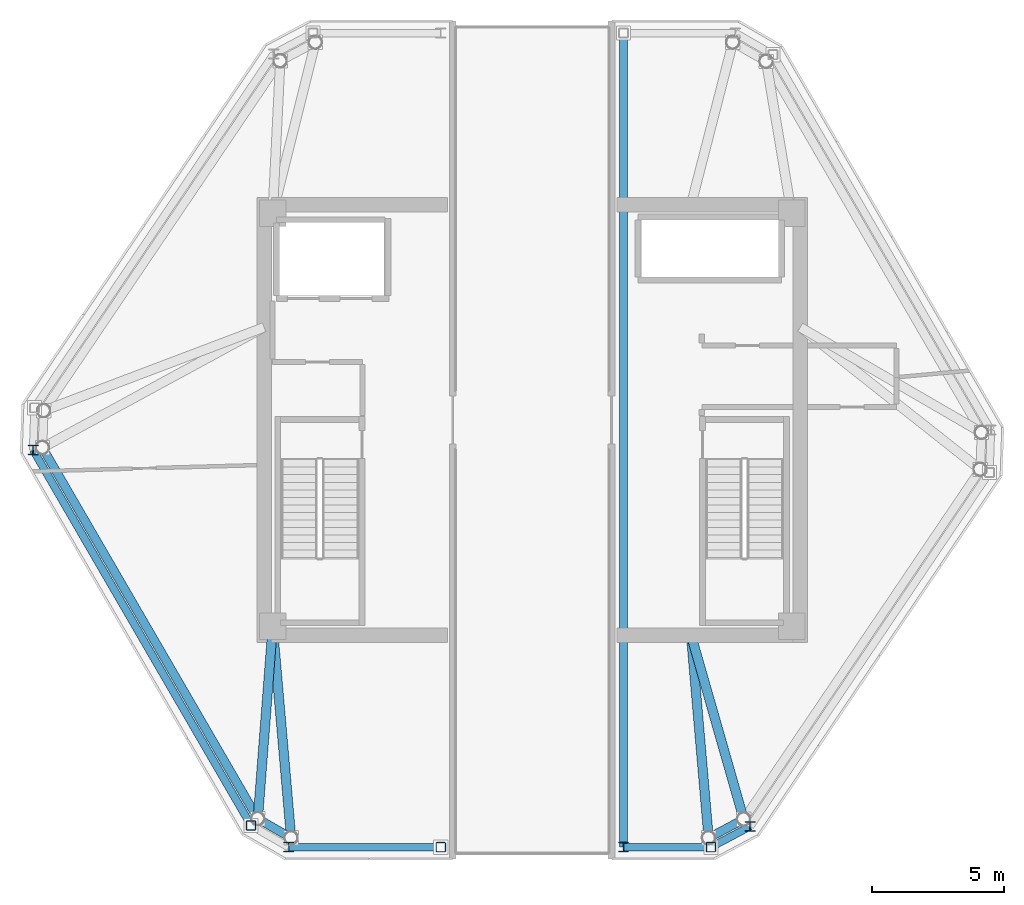
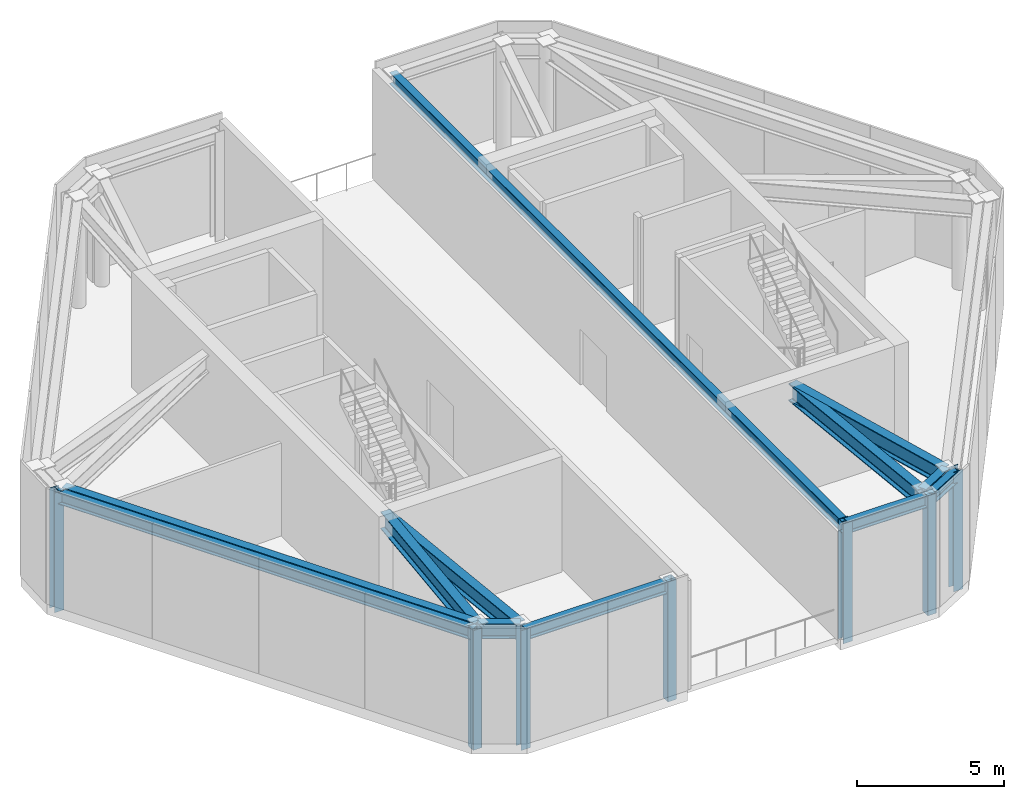
# One storey, part 2 of 8: 12 beams, 7 members.
"""IFC4 building model written with IfcOpenShell, lengths in metres."""

from ifc_helpers import new_model, si_unit, direction, frame, origin, origin_2d, place, context, subcontext, project, spatial, hollow_rectangle, i_section, extrude, source, transform, mapped, material, material_profile, profile_set, type_object, type_shapes, element, save


model = new_model("IFC4")

# Units and contexts
model_context = context("Model", 3, precision=1e-05, world=origin(), true_north=direction((0.0, 1.0)))
body_context = subcontext(model_context, "Body", "Model", "MODEL_VIEW")
ifc_project = project(units=[si_unit("LENGTHUNIT", "METRE"), si_unit("AREAUNIT", "SQUARE_METRE"), si_unit("VOLUMEUNIT", "CUBIC_METRE"), si_unit("PLANEANGLEUNIT", "RADIAN"), si_unit("MASSUNIT", "GRAM", prefix="KILO")], contexts=[model_context])

# Site, building, storey
site_placement = place(None, origin())
site = spatial("IfcSite", under=ifc_project, at=site_placement, CompositionType="ELEMENT")
building_placement = place(site_placement, origin())
building = spatial("IfcBuilding", under=site, at=building_placement, Name="Durnholm Broadcast Tower", CompositionType="ELEMENT")
storey_placement = place(building_placement, frame((0.0, 0.0, 272.5)))
storey = spatial("IfcBuildingStorey", under=building, at=storey_placement, Name="L76", CompositionType="ELEMENT", Elevation=272.5)

# Beams
ifc_material_1 = material(Name="Steel ASTM A992 Grade 50", Category="steel")
ifc_material_profile_1 = material_profile(ifc_material_1, i_section(OverallWidth=0.3251953125, OverallDepth=0.6162109375, WebThickness=0.013916015625, FlangeThickness=0.021484375, FilletRadius=0.02783203125, at=origin_2d()), Name="W24X117")
ifc_profile_set_1 = profile_set([ifc_material_profile_1], Name="Steel ASTM A992 Grade 50")
beam_type_1 = type_object("IfcBeamType", Name="STL-SP-W24X117", PredefinedType="SPANDREL", material=ifc_profile_set_1)
shared_shape_1 = source(origin(), body_context, "Body", "SweptSolid", [
    extrude(i_section(OverallWidth=0.3251953125, OverallDepth=0.6162109375, WebThickness=0.013916015625, FlangeThickness=0.021484375, FilletRadius=0.02783203125, at=origin_2d()), origin(), (0.0, 0.0, 1.0), 16.202880859375),
])
beam_1_placement = place(storey_placement, frame((-10.361328125, -15.061767578125, 4.197021484375), z_axis=(-0.501948303381, 0.864897624423, 0.0), x_axis=(-0.864897624423, -0.501948303381, 0.0)))
element("IfcBeam", 1, at=beam_1_placement, inside=storey, type_object=beam_type_1, Name="L76 perimeter spandrel girder 01", PredefinedType="SPANDREL", context=body_context, shape_type="MappedRepresentation", body=[
    mapped(shared_shape_1, transform((0.0, 0.0, 0.0), x_axis=(1.0, 0.0, 0.0), y_axis=(0.0, 1.0, 0.0), z_axis=(0.0, 0.0, 1.0), scale=1.0)),
])
shared_shape_2 = source(origin(), body_context, "Body", "SweptSolid", [
    extrude(i_section(OverallWidth=0.3251953125, OverallDepth=0.6162109375, WebThickness=0.013916015625, FlangeThickness=0.021484375, FilletRadius=0.02783203125, at=origin_2d()), origin(), (0.0, 0.0, 1.0), 1.502685546875),
])
beam_2_placement = place(storey_placement, frame((7.990966796875, -15.081298828125, 4.197021484375), z_axis=(-0.883241909673, -0.468917614296, 0.0), x_axis=(0.468917614296, -0.883241909673, 0.0)))
element("IfcBeam", 2, at=beam_2_placement, inside=storey, type_object=beam_type_1, Name="L76 perimeter spandrel girder 10", PredefinedType="SPANDREL", context=body_context, shape_type="MappedRepresentation", body=[
    mapped(shared_shape_2, transform((0.0, 0.0, 0.0), x_axis=(1.0, 0.0, 0.0), y_axis=(0.0, 1.0, 0.0), z_axis=(0.0, 0.0, 1.0), scale=1.0)),
])
shared_shape_3 = source(origin(), body_context, "Body", "SweptSolid", [
    extrude(i_section(OverallWidth=0.3251953125, OverallDepth=0.6162109375, WebThickness=0.013916015625, FlangeThickness=0.021484375, FilletRadius=0.02783203125, at=origin_2d()), origin(), (0.0, 0.0, 1.0), 1.451171875),
])
type_shapes(beam_type_1, [shared_shape_1, shared_shape_2, shared_shape_3])
beam_3_placement = place(storey_placement, frame((-9.103759765625, -15.785888671875, 4.197021484375), z_axis=(-0.866602615509, 0.498998904601, 0.0), x_axis=(-0.498998904601, -0.866602615509, 0.0)))
element("IfcBeam", 3, at=beam_3_placement, inside=storey, type_object=beam_type_1, Name="L76 perimeter spandrel girder 12", PredefinedType="SPANDREL", context=body_context, shape_type="MappedRepresentation", body=[
    mapped(shared_shape_3, transform((0.0, 0.0, 0.0), x_axis=(1.0, 0.0, 0.0), y_axis=(0.0, 1.0, 0.0), z_axis=(0.0, 0.0, 1.0), scale=1.0)),
])
ifc_material_profile_2 = material_profile(ifc_material_1, i_section(OverallWidth=0.3564453125, OverallDepth=0.713623046875, WebThickness=0.01904296875, FlangeThickness=0.033935546875, FilletRadius=0.030517578125, at=origin_2d()), Name="W27X194")
ifc_profile_set_2 = profile_set([ifc_material_profile_2], Name="Steel ASTM A992 Grade 50")
beam_type_2 = type_object("IfcBeamType", Name="STL-GR-W27X194", PredefinedType="USERDEFINED", material=ifc_profile_set_2)
shared_shape_4 = source(origin(), body_context, "Body", "SweptSolid", [
    extrude(i_section(OverallWidth=0.3564453125, OverallDepth=0.713623046875, WebThickness=0.01904296875, FlangeThickness=0.033935546875, FilletRadius=0.030517578125, at=origin_2d()), origin(), (0.0, 0.0, 1.0), 7.283447265625),
])
beam_4_placement = place(storey_placement, frame((-9.800048828125, -7.800048828125, 4.148193359375), z_axis=(-0.07706304746, -0.997026221679, 0.0), x_axis=(0.997026221679, -0.07706304746, 0.0)))
element("IfcBeam", 4, at=beam_4_placement, inside=storey, type_object=beam_type_2, Name="L76 radial primary floor girder 01", ObjectType="GIRDER", PredefinedType="USERDEFINED", context=body_context, shape_type="MappedRepresentation", body=[
    mapped(shared_shape_4, transform((0.0, 0.0, 0.0), x_axis=(1.0, 0.0, 0.0), y_axis=(0.0, 1.0, 0.0), z_axis=(0.0, 0.0, 1.0), scale=1.0)),
])
shared_shape_5 = source(origin(), body_context, "Body", "SweptSolid", [
    extrude(i_section(OverallWidth=0.3564453125, OverallDepth=0.713623046875, WebThickness=0.01904296875, FlangeThickness=0.033935546875, FilletRadius=0.030517578125, at=origin_2d()), origin(), (0.0, 0.0, 1.0), 7.235595703125),
])
beam_5_placement = place(storey_placement, frame((6.0, -8.125, 4.148193359375), z_axis=(0.275162285573, -0.961397793111, 0.0), x_axis=(0.961397793111, 0.275162285573, 0.0)))
element("IfcBeam", 5, at=beam_5_placement, inside=storey, type_object=beam_type_2, Name="L76 radial primary floor girder 10", ObjectType="GIRDER", PredefinedType="USERDEFINED", context=body_context, shape_type="MappedRepresentation", body=[
    mapped(shared_shape_5, transform((0.0, 0.0, 0.0), x_axis=(1.0, 0.0, 0.0), y_axis=(0.0, 1.0, 0.0), z_axis=(0.0, 0.0, 1.0), scale=1.0)),
])
shared_shape_6 = source(origin(), body_context, "Body", "SweptSolid", [
    extrude(i_section(OverallWidth=0.3564453125, OverallDepth=0.713623046875, WebThickness=0.01904296875, FlangeThickness=0.033935546875, FilletRadius=0.030517578125, at=origin_2d()), origin(), (0.0, 0.0, 1.0), 7.689697265625),
])
beam_6_placement = place(storey_placement, frame((6.0, -8.125, 4.148193359375), z_axis=(0.086326830756, -0.99626687102, 0.0), x_axis=(0.99626687102, 0.086326830756, 0.0)))
element("IfcBeam", 6, at=beam_6_placement, inside=storey, type_object=beam_type_2, Name="L76 radial primary floor girder 11", ObjectType="GIRDER", PredefinedType="USERDEFINED", context=body_context, shape_type="MappedRepresentation", body=[
    mapped(shared_shape_6, transform((0.0, 0.0, 0.0), x_axis=(1.0, 0.0, 0.0), y_axis=(0.0, 1.0, 0.0), z_axis=(0.0, 0.0, 1.0), scale=1.0)),
])
shared_shape_7 = source(origin(), body_context, "Body", "SweptSolid", [
    extrude(i_section(OverallWidth=0.3564453125, OverallDepth=0.713623046875, WebThickness=0.01904296875, FlangeThickness=0.033935546875, FilletRadius=0.030517578125, at=origin_2d()), origin(), (0.0, 0.0, 1.0), 8.01611328125),
])
type_shapes(beam_type_2, [shared_shape_4, shared_shape_5, shared_shape_6, shared_shape_7])
beam_7_placement = place(storey_placement, frame((-9.800048828125, -7.800048828125, 4.148193359375), z_axis=(0.086860920724, -0.996220447718, 0.0), x_axis=(0.996220447718, 0.086860920724, 0.0)))
element("IfcBeam", 7, at=beam_7_placement, inside=storey, type_object=beam_type_2, Name="L76 radial primary floor girder 12", ObjectType="GIRDER", PredefinedType="USERDEFINED", context=body_context, shape_type="MappedRepresentation", body=[
    mapped(shared_shape_7, transform((0.0, 0.0, 0.0), x_axis=(1.0, 0.0, 0.0), y_axis=(0.0, 1.0, 0.0), z_axis=(0.0, 0.0, 1.0), scale=1.0)),
])

# Members
ifc_material_2 = material(Name="Steel ASTM A500 Grade C", Category="steel")
ifc_material_profile_3 = material_profile(ifc_material_2, hollow_rectangle(XDim=0.355712890625, YDim=0.355712890625, WallThickness=0.01171875, InnerFilletRadius=0.017578125, OuterFilletRadius=0.029541015625, at=origin_2d()), Name="HSS14X14X1/2")
ifc_profile_set_3 = profile_set([ifc_material_profile_3], Name="Steel ASTM A500 Grade C")
member_type_1 = type_object("IfcMemberType", Name="STL-CF-HSS14X14", PredefinedType="USERDEFINED", material=ifc_profile_set_3)
shared_shape_8 = source(origin(), body_context, "Body", "SweptSolid", [
    extrude(hollow_rectangle(XDim=0.355712890625, YDim=0.355712890625, WallThickness=0.01171875, InnerFilletRadius=0.017578125, OuterFilletRadius=0.029541015625, at=origin_2d()), origin(), (0.0, 0.0, 1.0), 4.969970703125),
])
type_shapes(member_type_1, [shared_shape_8])
for number, where, z_axis, x_axis, name in (
    (8, (-10.6171875, -15.318359375, -0.449951171875), (0.0, 0.0, 1.0), (1.0, 0.0, 0.0), "L76 W split-crown frame post 1"),
    (9, (-3.449951171875, -16.135986328125, -0.449951171875), (0.0, 0.0, 1.0), (1.0, 0.0, 0.0), "L76 W split-crown frame post 3"),
    (10, (6.7509765625, -16.135986328125, -0.449951171875), (0.0, 0.0, 1.0), (1.0, 0.0, 0.0), "L76 E split-crown frame post 3"),
):
    element("IfcMember", number, at=place(storey_placement, frame(where, z_axis=z_axis, x_axis=x_axis)), inside=storey, type_object=member_type_1, Name=name, ObjectType="CROWN FRAME", PredefinedType="USERDEFINED", context=body_context, shape_type="MappedRepresentation", body=[
        mapped(shared_shape_8, transform((0.0, 0.0, 0.0), x_axis=(1.0, 0.0, 0.0), y_axis=(0.0, 1.0, 0.0), z_axis=(0.0, 0.0, 1.0), scale=1.0)),
    ])
ifc_material_profile_4 = material_profile(ifc_material_1, i_section(OverallWidth=0.368896484375, OverallDepth=0.356201171875, WebThickness=0.01123046875, FlangeThickness=0.01806640625, FilletRadius=0.030517578125, at=origin_2d()), Name="W14X90")
ifc_profile_set_4 = profile_set([ifc_material_profile_4], Name="Steel ASTM A992 Grade 50")
member_type_2 = type_object("IfcMemberType", Name="STL-CF-W14X90", PredefinedType="USERDEFINED", material=ifc_profile_set_4)
shared_shape_9 = source(origin(), body_context, "Body", "SweptSolid", [
    extrude(i_section(OverallWidth=0.368896484375, OverallDepth=0.356201171875, WebThickness=0.01123046875, FlangeThickness=0.01806640625, FilletRadius=0.030517578125, at=origin_2d()), origin(), (0.0, 0.0, 1.0), 4.969970703125),
])
type_shapes(member_type_2, [shared_shape_9])
for number, where, z_axis, x_axis, name in (
    (11, (-9.197265625, -16.135986328125, -0.449951171875), (0.0, 0.0, 1.0), (1.0, 0.0, 0.0), "L76 W split-crown frame post 2"),
    (12, (-18.847412109375, -1.136474609375, -0.449951171875), (0.0, 0.0, 1.0), (1.0, 0.0, 0.0), "L76 W split-crown frame post 8"),
    (13, (3.449951171875, -16.135986328125, -0.449951171875), (0.0, 0.0, 1.0), (1.0, 0.0, 0.0), "L76 E split-crown frame post 2"),
    (14, (8.23193359375, -15.349609375, -0.449951171875), (0.0, 0.0, 1.0), (1.0, 0.0, 0.0), "L76 E split-crown frame post 4"),
):
    element("IfcMember", number, at=place(storey_placement, frame(where, z_axis=z_axis, x_axis=x_axis)), inside=storey, type_object=member_type_2, Name=name, ObjectType="CROWN FRAME", PredefinedType="USERDEFINED", context=body_context, shape_type="MappedRepresentation", body=[
        mapped(shared_shape_9, transform((0.0, 0.0, 0.0), x_axis=(1.0, 0.0, 0.0), y_axis=(0.0, 1.0, 0.0), z_axis=(0.0, 0.0, 1.0), scale=1.0)),
    ])

# Beams
ifc_material_profile_5 = material_profile(ifc_material_1, i_section(OverallWidth=0.2861328125, OverallDepth=0.481689453125, WebThickness=0.0166015625, FlangeThickness=0.02685546875, FilletRadius=0.02294921875, at=origin_2d()), Name="W18X119")
ifc_profile_set_5 = profile_set([ifc_material_profile_5], Name="Steel ASTM A992 Grade 50")
beam_type_3 = type_object("IfcBeamType", Name="STL-BM-W18X119", PredefinedType="BEAM", material=ifc_profile_set_5)
shared_shape_10 = source(origin(), body_context, "Body", "SweptSolid", [
    extrude(i_section(OverallWidth=0.2861328125, OverallDepth=0.481689453125, WebThickness=0.0166015625, FlangeThickness=0.02685546875, FilletRadius=0.02294921875, at=origin_2d()), origin(), (0.0, 0.0, 1.0), 5.747314453125),
])
beam_8_placement = place(storey_placement, frame((-9.197265625, -16.135986328125, 4.26416015625), z_axis=(1.0, 0.0, 0.0), x_axis=(0.0, 1.0, 0.0)))
element("IfcBeam", 15, at=beam_8_placement, inside=storey, type_object=beam_type_3, Name="L76 W split-crown frame ring beam 2", PredefinedType="SPANDREL", context=body_context, shape_type="MappedRepresentation", body=[
    mapped(shared_shape_10, transform((0.0, 0.0, 0.0), x_axis=(1.0, 0.0, 0.0), y_axis=(0.0, 1.0, 0.0), z_axis=(0.0, 0.0, 1.0), scale=1.0)),
])
shared_shape_11 = source(origin(), body_context, "Body", "SweptSolid", [
    extrude(i_section(OverallWidth=0.2861328125, OverallDepth=0.481689453125, WebThickness=0.0166015625, FlangeThickness=0.02685546875, FilletRadius=0.02294921875, at=origin_2d()), origin(), (0.0, 0.0, 1.0), 16.39697265625),
])
beam_9_placement = place(storey_placement, frame((-18.847412109375, -1.136474609375, 4.26416015625), z_axis=(0.501933993848, -0.864905928885, 0.0), x_axis=(0.864905928885, 0.501933993848, 0.0)))
element("IfcBeam", 16, at=beam_9_placement, inside=storey, type_object=beam_type_3, Name="L76 W split-crown frame ring beam 8", PredefinedType="SPANDREL", context=body_context, shape_type="MappedRepresentation", body=[
    mapped(shared_shape_11, transform((0.0, 0.0, 0.0), x_axis=(1.0, 0.0, 0.0), y_axis=(0.0, 1.0, 0.0), z_axis=(0.0, 0.0, 1.0), scale=1.0)),
])
shared_shape_12 = source(origin(), body_context, "Body", "SweptSolid", [
    extrude(i_section(OverallWidth=0.2861328125, OverallDepth=0.481689453125, WebThickness=0.0166015625, FlangeThickness=0.02685546875, FilletRadius=0.02294921875, at=origin_2d()), origin(), (0.0, 0.0, 1.0), 30.748046875),
])
beam_10_placement = place(storey_placement, frame((3.449951171875, 14.612060546875, 4.26416015625), z_axis=(0.0, -1.0, 0.0), x_axis=(1.0, 0.0, 0.0)))
element("IfcBeam", 17, at=beam_10_placement, inside=storey, type_object=beam_type_3, Name="L76 E split-crown frame ring beam 1", PredefinedType="SPANDREL", context=body_context, shape_type="MappedRepresentation", body=[
    mapped(shared_shape_12, transform((0.0, 0.0, 0.0), x_axis=(1.0, 0.0, 0.0), y_axis=(0.0, 1.0, 0.0), z_axis=(0.0, 0.0, 1.0), scale=1.0)),
])
shared_shape_13 = source(origin(), body_context, "Body", "SweptSolid", [
    extrude(i_section(OverallWidth=0.2861328125, OverallDepth=0.481689453125, WebThickness=0.0166015625, FlangeThickness=0.02685546875, FilletRadius=0.02294921875, at=origin_2d()), origin(), (0.0, 0.0, 1.0), 3.301025390625),
])
beam_11_placement = place(storey_placement, frame((3.449951171875, -16.135986328125, 4.26416015625), z_axis=(1.0, 0.0, 0.0), x_axis=(0.0, 1.0, 0.0)))
element("IfcBeam", 18, at=beam_11_placement, inside=storey, type_object=beam_type_3, Name="L76 E split-crown frame ring beam 2", PredefinedType="SPANDREL", context=body_context, shape_type="MappedRepresentation", body=[
    mapped(shared_shape_13, transform((0.0, 0.0, 0.0), x_axis=(1.0, 0.0, 0.0), y_axis=(0.0, 1.0, 0.0), z_axis=(0.0, 0.0, 1.0), scale=1.0)),
])
shared_shape_14 = source(origin(), body_context, "Body", "SweptSolid", [
    extrude(i_section(OverallWidth=0.2861328125, OverallDepth=0.481689453125, WebThickness=0.0166015625, FlangeThickness=0.02685546875, FilletRadius=0.02294921875, at=origin_2d()), origin(), (0.0, 0.0, 1.0), 1.6767578125),
])
type_shapes(beam_type_3, [shared_shape_10, shared_shape_11, shared_shape_12, shared_shape_13, shared_shape_14])
beam_12_placement = place(storey_placement, frame((6.7509765625, -16.135986328125, 4.26416015625), z_axis=(0.883209959098, 0.468977790678, 0.0), x_axis=(-0.468977790678, 0.883209959098, 0.0)))
element("IfcBeam", 19, at=beam_12_placement, inside=storey, type_object=beam_type_3, Name="L76 E split-crown frame ring beam 3", PredefinedType="SPANDREL", context=body_context, shape_type="MappedRepresentation", body=[
    mapped(shared_shape_14, transform((0.0, 0.0, 0.0), x_axis=(1.0, 0.0, 0.0), y_axis=(0.0, 1.0, 0.0), z_axis=(0.0, 0.0, 1.0), scale=1.0)),
])

save(model, "model.ifc")
